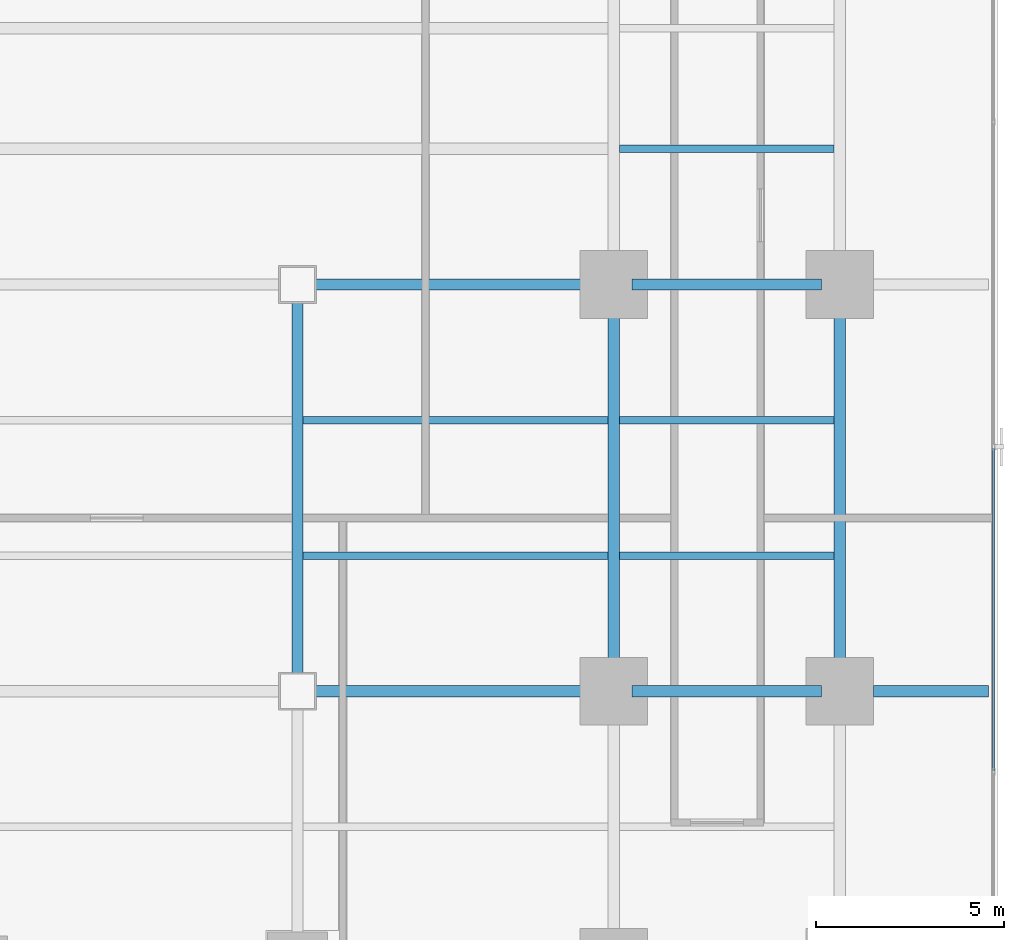
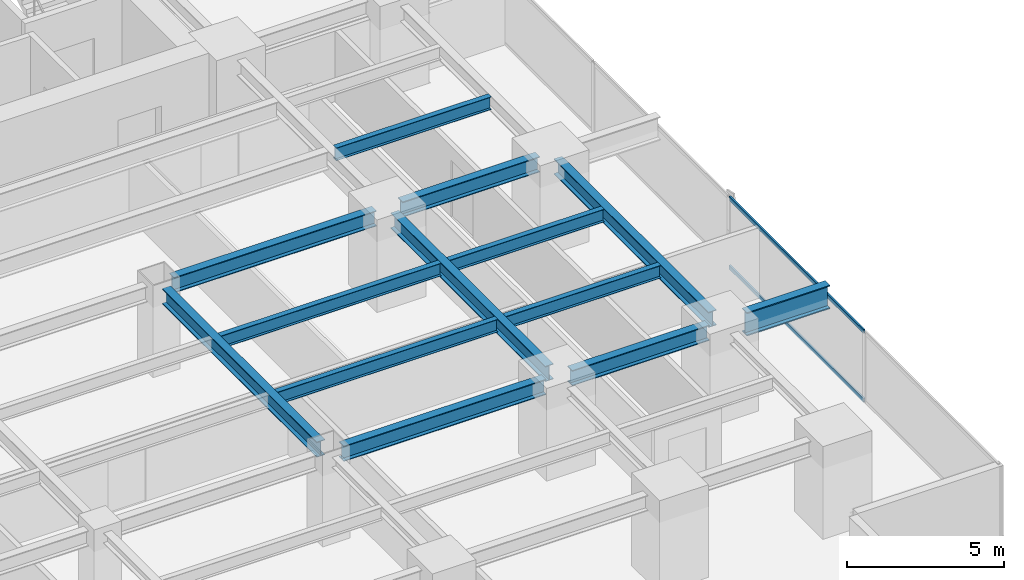
# One storey, part 14 of 33: 13 beams, 2 members, 1 element without a shape of its own.
"""IFC4 building model written with IfcOpenShell, lengths in metres."""

from ifc_helpers import new_model, si_unit, direction, frame, origin, origin_2d, place, context, subcontext, project, spatial, hollow_rectangle, i_section, extrude, source, transform, mapped, material, layer, layer_set, material_profile, profile_set, type_object, element, aggregate, save


model = new_model("IFC4")

# Units and contexts
model_context = context("Model", 3, precision=1e-05, world=origin(), true_north=direction((0.0, 1.0)))
body_context = subcontext(model_context, "Body", "Model", "MODEL_VIEW")
ifc_project = project(units=[si_unit("LENGTHUNIT", "METRE"), si_unit("AREAUNIT", "SQUARE_METRE"), si_unit("VOLUMEUNIT", "CUBIC_METRE"), si_unit("PLANEANGLEUNIT", "RADIAN"), si_unit("MASSUNIT", "GRAM", prefix="KILO")], contexts=[model_context])

# Site, building, storey
site_placement = place(None, origin())
site = spatial("IfcSite", under=ifc_project, at=site_placement, CompositionType="ELEMENT")
building_placement = place(site_placement, origin())
building = spatial("IfcBuilding", under=site, at=building_placement, Name="Sumidabori Civic Tower", CompositionType="ELEMENT")
storey_placement = place(building_placement, frame((0.0, 0.0, 63.199951171875)))
storey = spatial("IfcBuildingStorey", under=building, at=storey_placement, Name="L16", CompositionType="ELEMENT", Elevation=63.199951171875)

# Beams
ifc_material_1 = material(Name="Steel SN490", Category="steel")
ifc_material_profile_1 = material_profile(ifc_material_1, i_section(OverallWidth=0.300048828125, OverallDepth=0.60009765625, WebThickness=0.015380859375, FlangeThickness=0.030029296875, at=origin_2d()), Name="HE 600 B")
ifc_profile_set_1 = profile_set([ifc_material_profile_1], Name="Steel SN490")
beam_type_1 = type_object("IfcBeamType", Name="BM-GIRD-600", PredefinedType="BEAM", material=ifc_profile_set_1)
shared_shape_1 = source(origin(), body_context, "Body", "SweptSolid", [
    extrude(i_section(OverallWidth=0.300048828125, OverallDepth=0.60009765625, WebThickness=0.015380859375, FlangeThickness=0.030029296875, at=origin_2d()), origin(), (0.0, 0.0, 1.0), 5.0400390625),
])
for number, where, z_axis, x_axis, name in (
    (1, (17.280029296875, -10.800048828125, 3.06005859375), (1.0, 0.0, 0.0), (0.0, 1.0, 0.0), "Primary Girder L16 GX-12"),
    (2, (17.280029296875, 0.0, 3.06005859375), (1.0, 0.0, 0.0), (0.0, 1.0, 0.0), "Primary Girder L16 GX-18"),
):
    element("IfcBeam", number, at=place(storey_placement, frame(where, z_axis=z_axis, x_axis=x_axis)), inside=storey, type_object=beam_type_1, Name=name, PredefinedType="BEAM", context=body_context, shape_type="MappedRepresentation", body=[
        mapped(shared_shape_1, transform((0.0, 0.0, 0.0), x_axis=(1.0, 0.0, 0.0), y_axis=(0.0, 1.0, 0.0), z_axis=(0.0, 0.0, 1.0), scale=1.0)),
    ])
shared_shape_2 = source(origin(), body_context, "Body", "SweptSolid", [
    extrude(i_section(OverallWidth=0.300048828125, OverallDepth=0.60009765625, WebThickness=0.015380859375, FlangeThickness=0.030029296875, at=origin_2d()), origin(), (0.0, 0.0, 1.0), 7.440185546875),
])
for number, where, z_axis, x_axis, name in (
    (3, (8.8798828125, -10.800048828125, 3.06005859375), (1.0, 0.0, 0.0), (0.0, 1.0, 0.0), "Primary Girder L16 GX-11"),
    (4, (8.8798828125, 0.0, 3.06005859375), (1.0, 0.0, 0.0), (0.0, 1.0, 0.0), "Primary Girder L16 GX-17"),
):
    element("IfcBeam", number, at=place(storey_placement, frame(where, z_axis=z_axis, x_axis=x_axis)), inside=storey, type_object=beam_type_1, Name=name, PredefinedType="BEAM", context=body_context, shape_type="MappedRepresentation", body=[
        mapped(shared_shape_2, transform((0.0, 0.0, 0.0), x_axis=(1.0, 0.0, 0.0), y_axis=(0.0, 1.0, 0.0), z_axis=(0.0, 0.0, 1.0), scale=1.0)),
    ])
shared_shape_3 = source(origin(), body_context, "Body", "SweptSolid", [
    extrude(i_section(OverallWidth=0.300048828125, OverallDepth=0.60009765625, WebThickness=0.015380859375, FlangeThickness=0.030029296875, at=origin_2d()), origin(), (0.0, 0.0, 1.0), 9.840087890625),
])
for number, where, z_axis, x_axis, name in (
    (5, (8.39990234375, -10.320068359375, 3.06005859375), (0.0, 1.0, 0.0), (-1.0, 0.0, 0.0), "Primary Girder L16 GY-34"),
    (6, (16.800048828125, -10.320068359375, 3.06005859375), (0.0, 1.0, 0.0), (-1.0, 0.0, 0.0), "Primary Girder L16 GY-36"),
    (7, (22.800048828125, -10.320068359375, 3.06005859375), (0.0, 1.0, 0.0), (-1.0, 0.0, 0.0), "Primary Girder L16 GY-40"),
):
    element("IfcBeam", number, at=place(storey_placement, frame(where, z_axis=z_axis, x_axis=x_axis)), inside=storey, type_object=beam_type_1, Name=name, PredefinedType="BEAM", context=body_context, shape_type="MappedRepresentation", body=[
        mapped(shared_shape_3, transform((0.0, 0.0, 0.0), x_axis=(1.0, 0.0, 0.0), y_axis=(0.0, 1.0, 0.0), z_axis=(0.0, 0.0, 1.0), scale=1.0)),
    ])
ifc_material_profile_2 = material_profile(ifc_material_1, i_section(OverallWidth=0.302001953125, OverallDepth=0.909912109375, WebThickness=0.02099609375, FlangeThickness=0.0400390625, at=origin_2d()), Name="HE 900 M")
ifc_profile_set_2 = profile_set([ifc_material_profile_2], Name="Steel SN490")
beam_type_2 = type_object("IfcBeamType", Name="BM-Z1-EDGE", PredefinedType="SPANDREL", material=ifc_profile_set_2)
shared_shape_4 = source(origin(), body_context, "Body", "SweptSolid", [
    extrude(i_section(OverallWidth=0.302001953125, OverallDepth=0.909912109375, WebThickness=0.02099609375, FlangeThickness=0.0400390625, at=origin_2d()), origin(), (0.0, 0.0, 1.0), 3.050048828125),
])
beam_placement = place(storey_placement, frame((23.699951171875, -10.800048828125, 2.905029296875), z_axis=(1.0, 0.0, 0.0), x_axis=(0.0, 1.0, 0.0)))
element("IfcBeam", 8, at=beam_placement, inside=storey, type_object=beam_type_2, Name="Perimeter Overhang Beam L16 E-43", PredefinedType="SPANDREL", context=body_context, shape_type="MappedRepresentation", body=[
    mapped(shared_shape_4, transform((0.0, 0.0, 0.0), x_axis=(1.0, 0.0, 0.0), y_axis=(0.0, 1.0, 0.0), z_axis=(0.0, 0.0, 1.0), scale=1.0)),
])
ifc_material_profile_3 = material_profile(ifc_material_1, i_section(OverallWidth=0.199951171875, OverallDepth=0.5, WebThickness=0.01025390625, FlangeThickness=0.01611328125, at=origin_2d()), Name="IPE 500")
ifc_profile_set_3 = profile_set([ifc_material_profile_3], Name="Steel SN490")
beam_type_3 = type_object("IfcBeamType", Name="BM-JST-500", PredefinedType="JOIST", material=ifc_profile_set_3)
shared_shape_5 = source(origin(), body_context, "Body", "SweptSolid", [
    extrude(i_section(OverallWidth=0.199951171875, OverallDepth=0.5, WebThickness=0.01025390625, FlangeThickness=0.01611328125, at=origin_2d()), origin(), (0.0, 0.0, 1.0), 5.699951171875),
])
for number, where, z_axis, x_axis, name in (
    (9, (16.949951171875, -7.199951171875, 3.110107421875), (1.0, 0.0, 0.0), (0.0, 1.0, 0.0), "Outer Bay Floor Joist L16 JSTO-50"),
    (10, (16.949951171875, -3.60009765625, 3.110107421875), (1.0, 0.0, 0.0), (0.0, 1.0, 0.0), "Outer Bay Floor Joist L16 JSTO-52"),
    (11, (16.949951171875, 3.60009765625, 3.110107421875), (1.0, 0.0, 0.0), (0.0, 1.0, 0.0), "Outer Bay Floor Joist L16 JSTO-54"),
):
    element("IfcBeam", number, at=place(storey_placement, frame(where, z_axis=z_axis, x_axis=x_axis)), inside=storey, type_object=beam_type_3, Name=name, PredefinedType="JOIST", context=body_context, shape_type="MappedRepresentation", body=[
        mapped(shared_shape_5, transform((0.0, 0.0, 0.0), x_axis=(1.0, 0.0, 0.0), y_axis=(0.0, 1.0, 0.0), z_axis=(0.0, 0.0, 1.0), scale=1.0)),
    ])
shared_shape_6 = source(origin(), body_context, "Body", "SweptSolid", [
    extrude(i_section(OverallWidth=0.199951171875, OverallDepth=0.5, WebThickness=0.01025390625, FlangeThickness=0.01611328125, at=origin_2d()), origin(), (0.0, 0.0, 1.0), 8.099853515625),
])
for number, where, z_axis, x_axis, name in (
    (12, (8.550048828125, -7.199951171875, 3.110107421875), (1.0, 0.0, 0.0), (0.0, 1.0, 0.0), "South Bay Floor Joist L16 JSTS-68"),
    (13, (8.550048828125, -3.60009765625, 3.110107421875), (1.0, 0.0, 0.0), (0.0, 1.0, 0.0), "South Bay Floor Joist L16 JSTS-72"),
):
    element("IfcBeam", number, at=place(storey_placement, frame(where, z_axis=z_axis, x_axis=x_axis)), inside=storey, type_object=beam_type_3, Name=name, PredefinedType="JOIST", context=body_context, shape_type="MappedRepresentation", body=[
        mapped(shared_shape_6, transform((0.0, 0.0, 0.0), x_axis=(1.0, 0.0, 0.0), y_axis=(0.0, 1.0, 0.0), z_axis=(0.0, 0.0, 1.0), scale=1.0)),
    ])

# Curtain wall, members
ifc_material_2 = material(Name="Anodised Bronze Aluminium AW-6063-T6", Category="aluminium")
ifc_layer = layer(ifc_material_2, 0.179931640625, Name="Anodised Bronze Aluminium AW-6063-T6")
ifc_layer_set = layer_set([ifc_layer], Name="Anodised Bronze Aluminium AW-6063-T6")
curtain_wall_type = type_object("IfcCurtainWallType", Name="CW-SYS-2", PredefinedType="NOTDEFINED", material=ifc_layer_set)
curtain_wall_placement = place(storey_placement, origin())
curtain_wall = element("IfcCurtainWall", 14, at=curtain_wall_placement, inside=storey, type_object=curtain_wall_type, Name="Curtain Wall CW:L16:R04", PredefinedType="NOTDEFINED")
ifc_material_profile_4 = material_profile(ifc_material_2, hollow_rectangle(XDim=0.06494140625, YDim=0.14990234375, WallThickness=0.0048828125, at=origin_2d()), Name="ALU TRANSOM 150x65")
ifc_profile_set_4 = profile_set([ifc_material_profile_4], Name="Anodised Bronze Aluminium AW-6063-T6")
member_type = type_object("IfcMemberType", Name="CW-TRN-150", PredefinedType="USERDEFINED", material=ifc_profile_set_4)
shared_shape_7 = source(origin(), body_context, "Body", "SweptSolid", [
    extrude(hollow_rectangle(XDim=0.06494140625, YDim=0.14990234375, WallThickness=0.0048828125, at=origin_2d()), origin(), (0.0, 0.0, 1.0), 8.557861328125),
])
member_1_placement = place(storey_placement, frame((26.8798828125, -12.906982421875, 0.032470703125), z_axis=(0.0, 1.0, 0.0), x_axis=(-1.0, 0.0, 0.0)))
member_1 = element("IfcMember", 15, at=member_1_placement, type_object=member_type, Name="CW-2 transom 2.1", ObjectType="TRANSOM", PredefinedType="USERDEFINED", context=body_context, shape_type="MappedRepresentation", body=[
    mapped(shared_shape_7, transform((0.0, 0.0, 0.0), x_axis=(1.0, 0.0, 0.0), y_axis=(0.0, 1.0, 0.0), z_axis=(0.0, 0.0, 1.0), scale=1.0)),
])
member_2_placement = place(storey_placement, frame((26.8798828125, -12.906982421875, 2.70751953125), z_axis=(0.0, 1.0, 0.0), x_axis=(-1.0, 0.0, 0.0)))
member_2 = element("IfcMember", 16, at=member_2_placement, type_object=member_type, Name="CW-2 transom 2.2", ObjectType="TRANSOM", PredefinedType="USERDEFINED", context=body_context, shape_type="MappedRepresentation", body=[
    mapped(shared_shape_7, transform((0.0, 0.0, 0.0), x_axis=(1.0, 0.0, 0.0), y_axis=(0.0, 1.0, 0.0), z_axis=(0.0, 0.0, 1.0), scale=1.0)),
])
aggregate(curtain_wall, [member_1, member_2])

save(model, "model.ifc")
